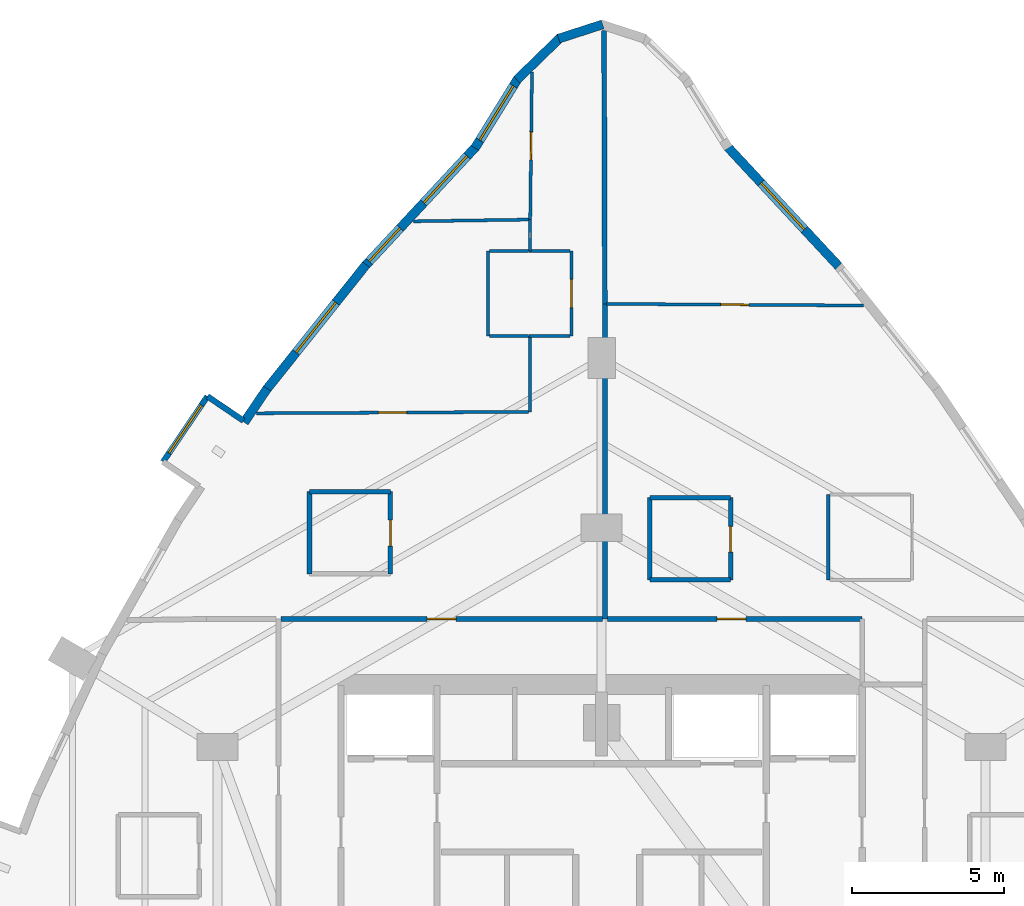
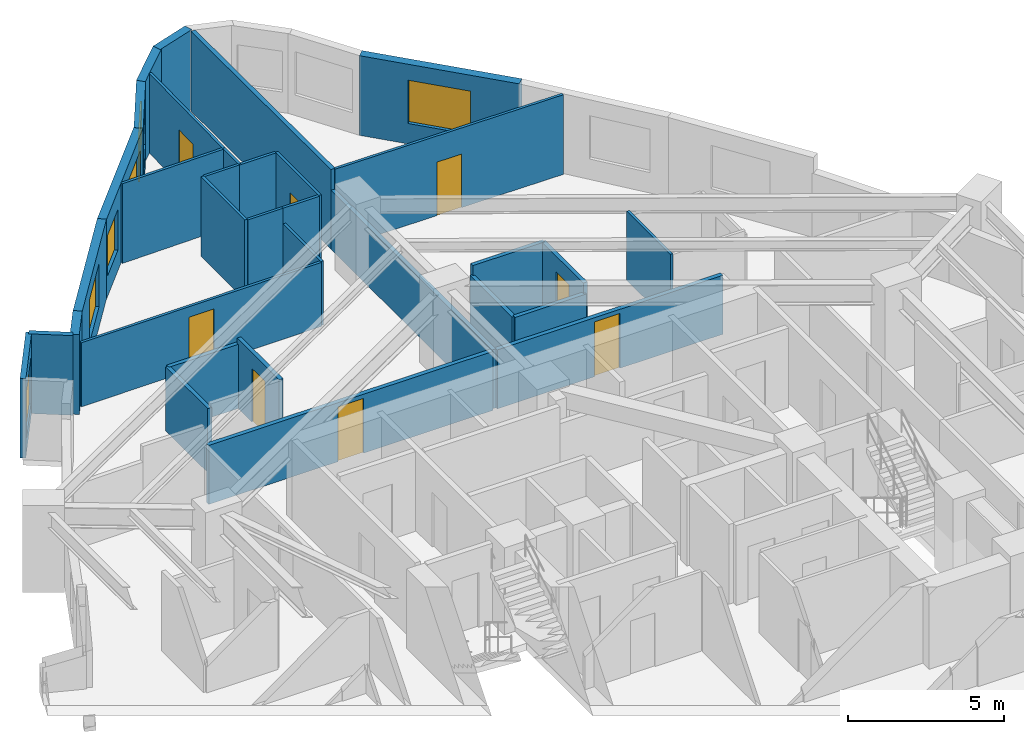
# One storey, part 11 of 13: 33 walls, 8 doors, 6 windows, 14 openings.
"""IFC4 building model written with IfcOpenShell, lengths in metres."""

from ifc_helpers import new_model, si_unit, direction, frame, frame_2d, origin, place, context, subcontext, project, spatial, rectangle, extrude, material, layer, layer_set, type_object, element, fill, save


model = new_model("IFC4")

# Units and contexts
model_context = context("Model", 3, precision=1e-05, world=origin(), true_north=direction((0.0, 1.0)))
body_context = subcontext(model_context, "Body", "Model", "MODEL_VIEW")
ifc_project = project(units=[si_unit("LENGTHUNIT", "METRE"), si_unit("AREAUNIT", "SQUARE_METRE"), si_unit("VOLUMEUNIT", "CUBIC_METRE"), si_unit("PLANEANGLEUNIT", "RADIAN"), si_unit("MASSUNIT", "GRAM", prefix="KILO")], contexts=[model_context])

# Site, building, storey
site_placement = place(None, origin())
site = spatial("IfcSite", under=ifc_project, at=site_placement, CompositionType="ELEMENT")
building_placement = place(site_placement, origin())
building = spatial("IfcBuilding", under=site, at=building_placement, Name="Miruveldt Soraemaru", CompositionType="ELEMENT")
storey_placement = place(building_placement, frame((0.0, 0.0, 73.39990234375)))
storey = spatial("IfcBuildingStorey", under=building, at=storey_placement, Name="L20", CompositionType="ELEMENT", Elevation=73.39990234375)

# Wall
ifc_material_1 = material(Name="White powder-coated aluminium EN AW-6060 T6", Category="aluminium")
ifc_layer_1 = layer(ifc_material_1, 0.18994140625, Name="White powder-coated aluminium EN AW-6060 T6", Category="aluminium")
ifc_layer_set_1 = layer_set([ifc_layer_1], Name="White powder-coated aluminium EN AW-6060 T6")
wall_type_1 = type_object("IfcWallType", Name="WALL-BAY-ALU190", PredefinedType="SOLIDWALL", material=ifc_layer_set_1)
wall_1_placement = place(storey_placement, frame((32.243896484375, 61.108154296875, 0.0), z_axis=(0.0, 0.0, 1.0), x_axis=(-0.82794178844, 0.560814046681, 0.0)))
element("IfcWall", 1, at=wall_1_placement, inside=storey, type_object=wall_type_1, Name="L20 Bay Window Side Cheek 1L", PredefinedType="SOLIDWALL", context=body_context, shape_type="SweptSolid", body=[
    extrude(rectangle(XDim=1.4248046875, YDim=0.18994140625, at=frame_2d((0.71240234375, 0.0))), origin(), (0.0, 0.0, 1.0), 3.125),
])

# Wall, opening, window
wall_2_placement = place(storey_placement, frame((31.064208984375, 61.9072265625, 0.0), z_axis=(0.0, 0.0, 1.0), x_axis=(-0.560860602504, -0.827910251512, 0.0)))
wall_2 = element("IfcWall", 2, at=wall_2_placement, inside=storey, type_object=wall_type_1, Name="L20 Bay Window Front Frame 1", PredefinedType="SOLIDWALL", context=body_context, shape_type="SweptSolid", body=[
    extrude(rectangle(XDim=2.60009765625, YDim=0.18994140625, at=frame_2d((1.300048828125, 0.0))), origin(), (0.0, 0.0, 1.0), 3.125),
])
opening_1_placement = place(wall_2_placement, frame((0.35009765625, 0.0, 0.550048828125)))
opening_1 = element("IfcOpeningElement", 3, at=opening_1_placement, cuts=wall_2, Name="Opening WN-6", PredefinedType="OPENING", context=body_context, shape_type="SweptSolid", body=[
    extrude(rectangle(XDim=1.89990234375, YDim=1.85009765625, at=frame_2d((0.949951171875, 0.925048828125))), frame((0.0, 0.10498046875, 0.0), z_axis=(0.0, -1.0, 0.0), x_axis=(1.0, 0.0, 0.0)), (0.0, 0.0, 1.0), 0.2099609375),
])
ifc_material_2 = material(Name="Triple low-e insulated glazing", Category="glass")
window_type_1 = type_object("IfcWindowType", Name="WIN-BAYW-1900x1850", PartitioningType="SINGLE_PANEL", PredefinedType="WINDOW", material=ifc_material_2)
window_1_placement = place(opening_1_placement, origin())
window_1 = element("IfcWindow", 4, at=window_1_placement, inside=storey, type_object=window_type_1, Name="L20 Projecting Bay Window 1", OverallHeight=1.85009765625, OverallWidth=1.89990234375, PartitioningType="SINGLE_PANEL", PredefinedType="WINDOW", context=body_context, shape_type="SweptSolid", body=[
    extrude(rectangle(XDim=1.89990234375, YDim=1.85009765625, at=frame_2d((0.949951171875, 0.925048828125))), frame((0.0, 0.030029296875, 0.0), z_axis=(0.0, -1.0, 0.0), x_axis=(1.0, 0.0, 0.0)), (0.0, 0.0, 1.0), 0.06005859375),
])
fill(opening_1, window_1)

# Walls
ifc_material_3 = material(Name="Precast concrete C45/55 (45 MPa)", Category="concrete")
ifc_layer_2 = layer(ifc_material_3, 0.300048828125, Name="Precast concrete C45/55 (45 MPa)", Category="concrete")
ifc_layer_set_2 = layer_set([ifc_layer_2], Name="Precast concrete C45/55 (45 MPa)")
wall_type_2 = type_object("IfcWallType", Name="WALL-EXT-PC300", PredefinedType="SOLIDWALL", material=ifc_layer_set_2)
wall_3_placement = place(storey_placement, frame((44.033203125, 74.110595703125, 0.0), z_axis=(0.0, 0.0, 1.0), x_axis=(-0.951504003815, -0.307636361186, 0.0)))
element("IfcWall", 5, at=wall_3_placement, inside=storey, type_object=wall_type_2, Name="L20 Precast Concrete Facade Wall 4", PredefinedType="SOLIDWALL", context=body_context, shape_type="SweptSolid", body=[
    extrude(rectangle(XDim=1.519775390625, YDim=0.300048828125, at=frame_2d((0.759765625, 0.0))), origin(), (0.0, 0.0, 1.0), 3.125),
])
wall_4_placement = place(storey_placement, frame((42.6455078125, 73.67822265625, 0.0), z_axis=(0.0, 0.0, 1.0), x_axis=(-0.717750025248, -0.69630086978, 0.0)))
element("IfcWall", 6, at=wall_4_placement, inside=storey, type_object=wall_type_2, Name="L20 Precast Concrete Facade Wall 5", PredefinedType="SOLIDWALL", context=body_context, shape_type="SweptSolid", body=[
    extrude(rectangle(XDim=1.991943359375, YDim=0.300048828125, at=frame_2d((0.99609375, 0.0))), origin(), (0.0, 0.0, 1.0), 3.125),
])

# Wall, opening, window
wall_5_placement = place(storey_placement, frame((41.25927734375, 72.345458984375, 0.0), z_axis=(0.0, 0.0, 1.0), x_axis=(-0.526064242957, -0.850444832004, 0.0)))
wall_5 = element("IfcWall", 7, at=wall_5_placement, inside=storey, type_object=wall_type_2, Name="L20 Precast Concrete Facade Wall 6", PredefinedType="SOLIDWALL", context=body_context, shape_type="SweptSolid", body=[
    extrude(rectangle(XDim=2.692138671875, YDim=0.300048828125, at=frame_2d((1.34619140625, 0.0))), origin(), (0.0, 0.0, 1.0), 3.125),
])
opening_2_placement = place(wall_5_placement, frame((0.2958984375, 0.0, 0.800048828125)))
opening_2 = element("IfcOpeningElement", 8, at=opening_2_placement, cuts=wall_5, Name="Opening WN-1", PredefinedType="OPENING", context=body_context, shape_type="SweptSolid", body=[
    extrude(rectangle(XDim=2.10009765625, YDim=1.699951171875, at=frame_2d((1.050048828125, 0.85009765625))), frame((0.0, 0.16015625, 0.0), z_axis=(0.0, -1.0, 0.0), x_axis=(1.0, 0.0, 0.0)), (0.0, 0.0, 1.0), 0.320068359375),
])
window_type_2 = type_object("IfcWindowType", Name="WIN-PUNCH-2100x1700", PartitioningType="SINGLE_PANEL", PredefinedType="WINDOW", material=ifc_material_2)
window_2_placement = place(opening_2_placement, origin())
window_2 = element("IfcWindow", 9, at=window_2_placement, inside=storey, type_object=window_type_2, Name="L20 Punched Triple-Glazed Window 06.1", OverallHeight=1.699951171875, OverallWidth=2.10009765625, PartitioningType="SINGLE_PANEL", PredefinedType="WINDOW", context=body_context, shape_type="SweptSolid", body=[
    extrude(rectangle(XDim=2.10009765625, YDim=1.699951171875, at=frame_2d((1.050048828125, 0.85009765625))), frame((0.0, 0.030029296875, 0.0), z_axis=(0.0, -1.0, 0.0), x_axis=(1.0, 0.0, 0.0)), (0.0, 0.0, 1.0), 0.06005859375),
])
fill(opening_2, window_2)

# Wall, openings, windows
wall_6_placement = place(storey_placement, frame((39.88525390625, 70.111083984375, 0.0), z_axis=(0.0, 0.0, 1.0), x_axis=(-0.680898855881, -0.732377462829, 0.0)))
wall_6 = element("IfcWall", 10, at=wall_6_placement, inside=storey, type_object=wall_type_2, Name="L20 Precast Concrete Facade Wall 7", PredefinedType="SOLIDWALL", context=body_context, shape_type="SweptSolid", body=[
    extrude(rectangle(XDim=5.373291015625, YDim=0.300048828125, at=frame_2d((2.6865234375, 0.0))), origin(), (0.0, 0.0, 1.0), 3.125),
])
opening_3_placement = place(wall_6_placement, frame((0.43505859375, 0.0, 0.800048828125)))
opening_3 = element("IfcOpeningElement", 11, at=opening_3_placement, cuts=wall_6, Name="Opening WN-1", PredefinedType="OPENING", context=body_context, shape_type="SweptSolid", body=[
    extrude(rectangle(XDim=2.10009765625, YDim=1.699951171875, at=frame_2d((1.050048828125, 0.85009765625))), frame((0.0, 0.16015625, 0.0), z_axis=(0.0, -1.0, 0.0), x_axis=(1.0, 0.0, 0.0)), (0.0, 0.0, 1.0), 0.320068359375),
])
opening_4_placement = place(wall_6_placement, frame((3.662109375, 0.0, 0.800048828125)))
opening_4 = element("IfcOpeningElement", 12, at=opening_4_placement, cuts=wall_6, Name="Opening WN-3", PredefinedType="OPENING", context=body_context, shape_type="SweptSolid", body=[
    extrude(rectangle(XDim=1.5, YDim=1.60009765625, at=frame_2d((0.75, 0.800048828125))), frame((0.0, 0.16015625, 0.0), z_axis=(0.0, -1.0, 0.0), x_axis=(1.0, 0.0, 0.0)), (0.0, 0.0, 1.0), 0.320068359375),
])
window_type_3 = type_object("IfcWindowType", Name="WIN-PUNCH-1500x1600", PartitioningType="SINGLE_PANEL", PredefinedType="WINDOW", material=ifc_material_2)
window_3_placement = place(opening_4_placement, origin())
window_3 = element("IfcWindow", 13, at=window_3_placement, inside=storey, type_object=window_type_3, Name="L20 Punched Triple-Glazed Window 07.2", OverallHeight=1.60009765625, OverallWidth=1.5, PartitioningType="SINGLE_PANEL", PredefinedType="WINDOW", context=body_context, shape_type="SweptSolid", body=[
    extrude(rectangle(XDim=1.5, YDim=1.60009765625, at=frame_2d((0.75, 0.800048828125))), frame((0.0, 0.030029296875, 0.0), z_axis=(0.0, -1.0, 0.0), x_axis=(1.0, 0.0, 0.0)), (0.0, 0.0, 1.0), 0.06005859375),
])
fill(opening_4, window_3)
window_4_placement = place(opening_3_placement, origin())
window_4 = element("IfcWindow", 14, at=window_4_placement, inside=storey, type_object=window_type_2, Name="L20 Punched Triple-Glazed Window 07.1", OverallHeight=1.699951171875, OverallWidth=2.10009765625, PartitioningType="SINGLE_PANEL", PredefinedType="WINDOW", context=body_context, shape_type="SweptSolid", body=[
    extrude(rectangle(XDim=2.10009765625, YDim=1.699951171875, at=frame_2d((1.050048828125, 0.85009765625))), frame((0.0, 0.030029296875, 0.0), z_axis=(0.0, -1.0, 0.0), x_axis=(1.0, 0.0, 0.0)), (0.0, 0.0, 1.0), 0.06005859375),
])
fill(opening_3, window_4)

# Wall, opening, window
wall_7_placement = place(storey_placement, frame((36.272216796875, 66.22900390625, 0.0), z_axis=(0.0, 0.0, 1.0), x_axis=(-0.623600125689, -0.781743489414, 0.0)))
wall_7 = element("IfcWall", 15, at=wall_7_placement, inside=storey, type_object=wall_type_2, Name="L20 Precast Concrete Facade Wall 8", PredefinedType="SOLIDWALL", context=body_context, shape_type="SweptSolid", body=[
    extrude(rectangle(XDim=5.2783203125, YDim=0.300048828125, at=frame_2d((2.63916015625, 0.0))), origin(), (0.0, 0.0, 1.0), 3.125),
])
opening_5_placement = place(wall_7_placement, frame((1.589111328125, 0.0, 0.800048828125)))
opening_5 = element("IfcOpeningElement", 16, at=opening_5_placement, cuts=wall_7, Name="Opening WN-1", PredefinedType="OPENING", context=body_context, shape_type="SweptSolid", body=[
    extrude(rectangle(XDim=2.10009765625, YDim=1.699951171875, at=frame_2d((1.050048828125, 0.85009765625))), frame((0.0, 0.16015625, 0.0), z_axis=(0.0, -1.0, 0.0), x_axis=(1.0, 0.0, 0.0)), (0.0, 0.0, 1.0), 0.320068359375),
])
window_5_placement = place(opening_5_placement, origin())
window_5 = element("IfcWindow", 17, at=window_5_placement, inside=storey, type_object=window_type_2, Name="L20 Punched Triple-Glazed Window 08.1", OverallHeight=1.699951171875, OverallWidth=2.10009765625, PartitioningType="SINGLE_PANEL", PredefinedType="WINDOW", context=body_context, shape_type="SweptSolid", body=[
    extrude(rectangle(XDim=2.10009765625, YDim=1.699951171875, at=frame_2d((1.050048828125, 0.85009765625))), frame((0.0, 0.030029296875, 0.0), z_axis=(0.0, -1.0, 0.0), x_axis=(1.0, 0.0, 0.0)), (0.0, 0.0, 1.0), 0.06005859375),
])
fill(opening_5, window_5)

# Wall
wall_8_placement = place(storey_placement, frame((33.022216796875, 62.1591796875, 0.0), z_axis=(0.0, 0.0, 1.0), x_axis=(-0.56075525003, -0.827981611852, 0.0)))
element("IfcWall", 18, at=wall_8_placement, inside=storey, type_object=wall_type_2, Name="L20 Precast Pier Wall 9A", PredefinedType="SOLIDWALL", context=body_context, shape_type="SweptSolid", body=[
    extrude(rectangle(XDim=1.336669921875, YDim=0.300048828125, at=frame_2d((0.66845703125, 0.0))), origin(), (0.0, 0.0, 1.0), 3.125),
])

# Wall, opening, window
wall_9_placement = place(storey_placement, frame((51.7734375, 66.17578125, 0.0), z_axis=(0.0, 0.0, 1.0), x_axis=(-0.680898855881, 0.732377462829, 0.0)))
wall_9 = element("IfcWall", 19, at=wall_9_placement, inside=storey, type_object=wall_type_2, Name="L20 Precast Concrete Facade Wall 42", PredefinedType="SOLIDWALL", context=body_context, shape_type="SweptSolid", body=[
    extrude(rectangle(XDim=5.373291015625, YDim=0.300048828125, at=frame_2d((2.6865234375, 0.0))), origin(), (0.0, 0.0, 1.0), 3.125),
])
opening_6_placement = place(wall_9_placement, frame((1.635986328125, 0.0, 0.800048828125)))
opening_6 = element("IfcOpeningElement", 20, at=opening_6_placement, cuts=wall_9, Name="Opening WN-1", PredefinedType="OPENING", context=body_context, shape_type="SweptSolid", body=[
    extrude(rectangle(XDim=2.10009765625, YDim=1.699951171875, at=frame_2d((1.050048828125, 0.85009765625))), frame((0.0, 0.16015625, 0.0), z_axis=(0.0, -1.0, 0.0), x_axis=(1.0, 0.0, 0.0)), (0.0, 0.0, 1.0), 0.320068359375),
])
window_6_placement = place(opening_6_placement, origin())
window_6 = element("IfcWindow", 21, at=window_6_placement, inside=storey, type_object=window_type_2, Name="L20 Punched Triple-Glazed Window 42.1", OverallHeight=1.699951171875, OverallWidth=2.10009765625, PartitioningType="SINGLE_PANEL", PredefinedType="WINDOW", context=body_context, shape_type="SweptSolid", body=[
    extrude(rectangle(XDim=2.10009765625, YDim=1.699951171875, at=frame_2d((1.050048828125, 0.85009765625))), frame((0.0, 0.030029296875, 0.0), z_axis=(0.0, -1.0, 0.0), x_axis=(1.0, 0.0, 0.0)), (0.0, 0.0, 1.0), 0.06005859375),
])
fill(opening_6, window_6)

# Wall, opening, door
ifc_material_4 = material(Name="Gypsum plasterboard lining", Category="gypsum")
ifc_layer_3 = layer(ifc_material_4, 0.10009765625, Name="Gypsum plasterboard lining", Category="gypsum")
ifc_layer_set_3 = layer_set([ifc_layer_3], Name="Gypsum plasterboard lining")
wall_type_3 = type_object("IfcWallType", Name="WALL-INT-P100", PredefinedType="PARTITIONING", material=ifc_layer_set_3)
wall_10_placement = place(storey_placement, frame((41.60498046875, 61.39501953125, 0.0), z_axis=(0.0, 0.0, 1.0), x_axis=(-0.999986088483, -0.005274735988, 0.0)))
wall_10 = element("IfcWall", 22, at=wall_10_placement, inside=storey, type_object=wall_type_3, Name="L20 Partition Wall 20", PredefinedType="PARTITIONING", context=body_context, shape_type="SweptSolid", body=[
    extrude(rectangle(XDim=8.93310546875, YDim=0.10009765625, at=frame_2d((4.466552734375, 0.0))), origin(), (0.0, 0.0, 1.0), 2.51318359375),
])
opening_7_placement = place(wall_10_placement, frame((4.007080078125, 0.0, 0.0)))
opening_7 = element("IfcOpeningElement", 23, at=opening_7_placement, cuts=wall_10, Name="Opening D3A", PredefinedType="OPENING", context=body_context, shape_type="SweptSolid", body=[
    extrude(rectangle(XDim=0.919921875, YDim=2.10009765625, at=frame_2d((0.4599609375, 1.050048828125))), frame((0.0, 0.06005859375, 0.0), z_axis=(0.0, -1.0, 0.0), x_axis=(1.0, 0.0, 0.0)), (0.0, 0.0, 1.0), 0.1201171875),
])
ifc_material_5 = material(Name="Anodised aluminium EN AW-6063 T6", Category="aluminium")
door_type_1 = type_object("IfcDoorType", Name="DOOR-INT-920", OperationType="NOTDEFINED", PredefinedType="DOOR", material=ifc_material_5)
door_1_placement = place(opening_7_placement, origin())
door_1 = element("IfcDoor", 24, at=door_1_placement, inside=storey, type_object=door_type_1, Name="L20 Unit 2001 BD1 Door", OperationType="SINGLE_SWING_LEFT", OverallHeight=2.10009765625, OverallWidth=0.919921875, PredefinedType="DOOR", context=body_context, shape_type="SweptSolid", body=[
    extrude(rectangle(XDim=0.919921875, YDim=2.10009765625, at=frame_2d((0.4599609375, 1.050048828125))), frame((0.0, 0.02490234375, 0.0), z_axis=(0.0, -1.0, 0.0), x_axis=(1.0, 0.0, 0.0)), (0.0, 0.0, 1.0), 0.050048828125),
])
fill(opening_7, door_1)

wall_11_placement = place(storey_placement, frame((52.589111328125, 64.885009765625, 0.0), z_axis=(0.0, 0.0, 1.0), x_axis=(-0.99998027209, 0.006281355846, 0.0)))
wall_11 = element("IfcWall", 25, at=wall_11_placement, inside=storey, type_object=wall_type_3, Name="L20 Partition Wall 38", PredefinedType="PARTITIONING", context=body_context, shape_type="SweptSolid", body=[
    extrude(rectangle(XDim=8.434326171875, YDim=0.10009765625, at=frame_2d((4.21728515625, 0.0))), origin(), (0.0, 0.0, 1.0), 3.125),
])
opening_8_placement = place(wall_11_placement, frame((3.757080078125, 0.0, 0.0)))
opening_8 = element("IfcOpeningElement", 26, at=opening_8_placement, cuts=wall_11, Name="Opening D3A", PredefinedType="OPENING", context=body_context, shape_type="SweptSolid", body=[
    extrude(rectangle(XDim=0.919921875, YDim=2.10009765625, at=frame_2d((0.4599609375, 1.050048828125))), frame((0.0, 0.06005859375, 0.0), z_axis=(0.0, -1.0, 0.0), x_axis=(1.0, 0.0, 0.0)), (0.0, 0.0, 1.0), 0.1201171875),
])
door_2_placement = place(opening_8_placement, origin())
door_2 = element("IfcDoor", 27, at=door_2_placement, inside=storey, type_object=door_type_1, Name="L20 Unit CL02 DIN Door", OperationType="SINGLE_SWING_RIGHT", OverallHeight=2.10009765625, OverallWidth=0.919921875, PredefinedType="DOOR", context=body_context, shape_type="SweptSolid", body=[
    extrude(rectangle(XDim=0.919921875, YDim=2.10009765625, at=frame_2d((0.4599609375, 1.050048828125))), frame((0.0, 0.02490234375, 0.0), z_axis=(0.0, -1.0, 0.0), x_axis=(1.0, 0.0, 0.0)), (0.0, 0.0, 1.0), 0.050048828125),
])
fill(opening_8, door_2)

wall_12_placement = place(storey_placement, frame((41.714111328125, 72.544921875, 0.0), z_axis=(0.0, 0.0, 1.0), x_axis=(-0.012206515862, -0.99992549771, 0.0)))
wall_12 = element("IfcWall", 28, at=wall_12_placement, inside=storey, type_object=wall_type_3, Name="L20 Partition Wall 21", PredefinedType="PARTITIONING", context=body_context, shape_type="SweptSolid", body=[
    extrude(rectangle(XDim=4.840087890625, YDim=0.10009765625, at=frame_2d((2.419921875, 0.0))), origin(), (0.0, 0.0, 1.0), 3.125),
])
opening_9_placement = place(wall_12_placement, frame((1.9599609375, 0.0, 0.0)))
opening_9 = element("IfcOpeningElement", 29, at=opening_9_placement, cuts=wall_12, Name="Opening D3A", PredefinedType="OPENING", context=body_context, shape_type="SweptSolid", body=[
    extrude(rectangle(XDim=0.919921875, YDim=2.10009765625, at=frame_2d((0.4599609375, 1.050048828125))), frame((0.0, 0.06005859375, 0.0), z_axis=(0.0, -1.0, 0.0), x_axis=(1.0, 0.0, 0.0)), (0.0, 0.0, 1.0), 0.1201171875),
])
door_3_placement = place(opening_9_placement, origin())
door_3 = element("IfcDoor", 30, at=door_3_placement, inside=storey, type_object=door_type_1, Name="L20 Unit 2001 EXT Door", OperationType="SINGLE_SWING_RIGHT", OverallHeight=2.10009765625, OverallWidth=0.919921875, PredefinedType="DOOR", context=body_context, shape_type="SweptSolid", body=[
    extrude(rectangle(XDim=0.919921875, YDim=2.10009765625, at=frame_2d((0.4599609375, 1.050048828125))), frame((0.0, 0.02490234375, 0.0), z_axis=(0.0, -1.0, 0.0), x_axis=(1.0, 0.0, 0.0)), (0.0, 0.0, 1.0), 0.050048828125),
])
fill(opening_9, door_3)

wall_13_placement = place(storey_placement, frame((43.013916015625, 63.8798828125, 0.0), z_axis=(0.0, 0.0, 1.0), x_axis=(0.0, 1.0, 0.0)))
wall_13 = element("IfcWall", 31, at=wall_13_placement, inside=storey, type_object=wall_type_3, Name="L20 Partition Wall 15", PredefinedType="PARTITIONING", context=body_context, shape_type="SweptSolid", body=[
    extrude(rectangle(XDim=2.800048828125, YDim=0.10009765625, at=frame_2d((1.39990234375, 0.0))), origin(), (0.0, 0.0, 1.0), 3.125),
])
opening_10_placement = place(wall_13_placement, frame((0.93994140625, 0.0, 0.0)))
opening_10 = element("IfcOpeningElement", 32, at=opening_10_placement, cuts=wall_13, Name="Opening D3A", PredefinedType="OPENING", context=body_context, shape_type="SweptSolid", body=[
    extrude(rectangle(XDim=0.919921875, YDim=2.10009765625, at=frame_2d((0.4599609375, 1.050048828125))), frame((0.0, 0.06005859375, 0.0), z_axis=(0.0, -1.0, 0.0), x_axis=(1.0, 0.0, 0.0)), (0.0, 0.0, 1.0), 0.1201171875),
])
door_4_placement = place(opening_10_placement, origin())
door_4 = element("IfcDoor", 33, at=door_4_placement, inside=storey, type_object=door_type_1, Name="L20 Unit 2001 KIT Door", OperationType="SINGLE_SWING_RIGHT", OverallHeight=2.10009765625, OverallWidth=0.919921875, PredefinedType="DOOR", context=body_context, shape_type="SweptSolid", body=[
    extrude(rectangle(XDim=0.919921875, YDim=2.10009765625, at=frame_2d((0.4599609375, 1.050048828125))), frame((0.0, 0.02490234375, 0.0), z_axis=(0.0, -1.0, 0.0), x_axis=(1.0, 0.0, 0.0)), (0.0, 0.0, 1.0), 0.050048828125),
])
fill(opening_10, door_4)

# Walls
wall_14_placement = place(storey_placement, frame((41.60498046875, 67.7041015625, 0.0), z_axis=(0.0, 0.0, 1.0), x_axis=(-0.999886107264, -0.015092133722, 0.0)))
element("IfcWall", 34, at=wall_14_placement, inside=storey, type_object=wall_type_3, Name="L20 Partition Wall 29", PredefinedType="PARTITIONING", context=body_context, shape_type="SweptSolid", body=[
    extrude(rectangle(XDim=3.785400390625, YDim=0.10009765625, at=frame_2d((1.892578125, 0.0))), origin(), (0.0, 0.0, 1.0), 3.125),
])
wall_15_placement = place(storey_placement, frame((40.263916015625, 66.679931640625, 0.0), z_axis=(0.0, 0.0, 1.0), x_axis=(0.0, -1.0, 0.0)))
element("IfcWall", 35, at=wall_15_placement, inside=storey, type_object=wall_type_3, Name="L20 Partition Wall 27", PredefinedType="PARTITIONING", context=body_context, shape_type="SweptSolid", body=[
    extrude(rectangle(XDim=2.800048828125, YDim=0.10009765625, at=frame_2d((1.39990234375, 0.0))), origin(), (0.0, 0.0, 1.0), 3.125),
])
wall_16_placement = place(storey_placement, frame((51.43505859375, 58.681884765625, 0.0), z_axis=(0.0, 0.0, 1.0), x_axis=(0.0, -1.0, 0.0)))
element("IfcWall", 36, at=wall_16_placement, inside=storey, type_object=wall_type_3, Name="L20 Partition Wall 36", PredefinedType="PARTITIONING", context=body_context, shape_type="SweptSolid", body=[
    extrude(rectangle(XDim=2.7998046875, YDim=0.10009765625, at=frame_2d((1.39990234375, 0.0))), origin(), (0.0, 0.0, 1.0), 2.713134765625),
])
wall_17_placement = place(storey_placement, frame((41.655029296875, 63.8798828125, 0.0), z_axis=(0.0, 0.0, 1.0), x_axis=(0.0, -1.0, 0.0)))
element("IfcWall", 37, at=wall_17_placement, inside=storey, type_object=wall_type_3, Name="L20 Partition Wall 19", PredefinedType="PARTITIONING", context=body_context, shape_type="SweptSolid", body=[
    extrude(rectangle(XDim=2.48486328125, YDim=0.10009765625, at=frame_2d((1.242431640625, 0.0))), origin(), (0.0, 0.0, 1.0), 2.51318359375),
])
for number, where, z_axis, x_axis, name in (
    (38, (42.964111328125, 66.679931640625, 0.0), (0.0, 0.0, 1.0), (-1.0, 0.0, 0.0), "L20 Partition Wall 16"),
    (39, (41.614990234375, 63.8798828125, 0.0), (0.0, 0.0, 1.0), (1.0, 0.0, 0.0), "L20 Partition Wall 17"),
):
    element("IfcWall", number, at=place(storey_placement, frame(where, z_axis=z_axis, x_axis=x_axis)), inside=storey, type_object=wall_type_3, Name=name, PredefinedType="PARTITIONING", context=body_context, shape_type="SweptSolid", body=[
        extrude(rectangle(XDim=1.34912109375, YDim=0.10009765625, at=frame_2d((0.674560546875, 0.0))), origin(), (0.0, 0.0, 1.0), 3.125),
    ])
for number, where, z_axis, x_axis, name in (
    (40, (41.60498046875, 66.679931640625, 0.0), (0.0, 0.0, 1.0), (-1.0, 0.0, 0.0), "L20 Partition Wall 26"),
    (41, (40.31396484375, 63.8798828125, 0.0), (0.0, 0.0, 1.0), (1.0, 0.0, 0.0), "L20 Partition Wall 28"),
):
    element("IfcWall", number, at=place(storey_placement, frame(where, z_axis=z_axis, x_axis=x_axis)), inside=storey, type_object=wall_type_3, Name=name, PredefinedType="PARTITIONING", context=body_context, shape_type="SweptSolid", body=[
        extrude(rectangle(XDim=1.291015625, YDim=0.10009765625, at=frame_2d((0.6455078125, 0.0))), origin(), (0.0, 0.0, 1.0), 3.125),
    ])
wall_18_placement = place(storey_placement, frame((41.655029296875, 67.705078125, 0.0), z_axis=(0.0, 0.0, 1.0), x_axis=(0.0, -1.0, 0.0)))
element("IfcWall", 42, at=wall_18_placement, inside=storey, type_object=wall_type_3, Name="L20 Partition Wall 18", PredefinedType="PARTITIONING", context=body_context, shape_type="SweptSolid", body=[
    extrude(rectangle(XDim=1.025146484375, YDim=0.10009765625, at=frame_2d((0.5126953125, 0.0))), origin(), (0.0, 0.0, 1.0), 3.125),
])

# Wall, opening, door
ifc_layer_4 = layer(ifc_material_4, 0.14990234375, Name="Gypsum plasterboard lining", Category="gypsum")
ifc_layer_set_4 = layer_set([ifc_layer_4], Name="Gypsum plasterboard lining")
wall_type_4 = type_object("IfcWallType", Name="WALL-INT-PLUMB", PredefinedType="PLUMBINGWALL", material=ifc_layer_set_4)
wall_19_placement = place(storey_placement, frame((37.06396484375, 56.080078125, 0.0), z_axis=(0.0, 0.0, 1.0), x_axis=(0.0, 1.0, 0.0)))
wall_19 = element("IfcWall", 43, at=wall_19_placement, inside=storey, type_object=wall_type_4, Name="L20 Partition Wall 11", PredefinedType="PLUMBINGWALL", context=body_context, shape_type="SweptSolid", body=[
    extrude(rectangle(XDim=2.699951171875, YDim=0.14990234375, at=frame_2d((1.35009765625, 0.0))), origin(), (0.0, 0.0, 1.0), 2.713134765625),
])
opening_11_placement = place(wall_19_placement, frame((0.909912109375, 0.0, 0.0)))
opening_11 = element("IfcOpeningElement", 44, at=opening_11_placement, cuts=wall_19, Name="Opening FD3", PredefinedType="OPENING", context=body_context, shape_type="SweptSolid", body=[
    extrude(rectangle(XDim=0.85009765625, YDim=2.10009765625, at=frame_2d((0.425048828125, 1.050048828125))), frame((0.0, 0.0849609375, 0.0), z_axis=(0.0, -1.0, 0.0), x_axis=(1.0, 0.0, 0.0)), (0.0, 0.0, 1.0), 0.169921875),
])
door_type_2 = type_object("IfcDoorType", Name="DOOR-FD3-850", OperationType="NOTDEFINED", PredefinedType="DOOR", material=ifc_material_5)
door_5_placement = place(opening_11_placement, origin())
door_5 = element("IfcDoor", 45, at=door_5_placement, inside=storey, type_object=door_type_2, Name="L20 Unit 2001 BTH Door", OperationType="SINGLE_SWING_LEFT", OverallHeight=2.10009765625, OverallWidth=0.85009765625, PredefinedType="DOOR", context=body_context, shape_type="SweptSolid", body=[
    extrude(rectangle(XDim=0.85009765625, YDim=2.10009765625, at=frame_2d((0.425048828125, 1.050048828125))), frame((0.0, 0.02490234375, 0.0), z_axis=(0.0, -1.0, 0.0), x_axis=(1.0, 0.0, 0.0)), (0.0, 0.0, 1.0), 0.050048828125),
])
fill(opening_11, door_5)

wall_20_placement = place(storey_placement, frame((48.235107421875, 55.882080078125, 0.0), z_axis=(0.0, 0.0, 1.0), x_axis=(0.0, 1.0, 0.0)))
wall_20 = element("IfcWall", 46, at=wall_20_placement, inside=storey, type_object=wall_type_4, Name="L20 Partition Wall 30", PredefinedType="PLUMBINGWALL", context=body_context, shape_type="SweptSolid", body=[
    extrude(rectangle(XDim=2.699951171875, YDim=0.14990234375, at=frame_2d((1.35009765625, 0.0))), origin(), (0.0, 0.0, 1.0), 2.713134765625),
])
opening_12_placement = place(wall_20_placement, frame((0.909912109375, 0.0, 0.0)))
opening_12 = element("IfcOpeningElement", 47, at=opening_12_placement, cuts=wall_20, Name="Opening FD3", PredefinedType="OPENING", context=body_context, shape_type="SweptSolid", body=[
    extrude(rectangle(XDim=0.85009765625, YDim=2.10009765625, at=frame_2d((0.425048828125, 1.050048828125))), frame((0.0, 0.0849609375, 0.0), z_axis=(0.0, -1.0, 0.0), x_axis=(1.0, 0.0, 0.0)), (0.0, 0.0, 1.0), 0.169921875),
])
door_6_placement = place(opening_12_placement, origin())
door_6 = element("IfcDoor", 48, at=door_6_placement, inside=storey, type_object=door_type_2, Name="L20 Unit CL02 BTH Door", OperationType="SINGLE_SWING_RIGHT", OverallHeight=2.10009765625, OverallWidth=0.85009765625, PredefinedType="DOOR", context=body_context, shape_type="SweptSolid", body=[
    extrude(rectangle(XDim=0.85009765625, YDim=2.10009765625, at=frame_2d((0.425048828125, 1.050048828125))), frame((0.0, 0.02490234375, 0.0), z_axis=(0.0, -1.0, 0.0), x_axis=(1.0, 0.0, 0.0)), (0.0, 0.0, 1.0), 0.050048828125),
])
fill(opening_12, door_6)

# Walls
wall_21_placement = place(storey_placement, frame((34.4140625, 58.780029296875, 0.0), z_axis=(0.0, 0.0, 1.0), x_axis=(0.0, -1.0, 0.0)))
element("IfcWall", 49, at=wall_21_placement, inside=storey, type_object=wall_type_4, Name="L20 Partition Wall 13", PredefinedType="PLUMBINGWALL", context=body_context, shape_type="SweptSolid", body=[
    extrude(rectangle(XDim=2.699951171875, YDim=0.14990234375, at=frame_2d((1.35009765625, 0.0))), origin(), (0.0, 0.0, 1.0), 2.51318359375),
])
wall_22_placement = place(storey_placement, frame((45.5849609375, 58.58203125, 0.0), z_axis=(0.0, 0.0, 1.0), x_axis=(0.0, -1.0, 0.0)))
element("IfcWall", 50, at=wall_22_placement, inside=storey, type_object=wall_type_4, Name="L20 Partition Wall 32", PredefinedType="PLUMBINGWALL", context=body_context, shape_type="SweptSolid", body=[
    extrude(rectangle(XDim=2.699951171875, YDim=0.14990234375, at=frame_2d((1.35009765625, 0.0))), origin(), (0.0, 0.0, 1.0), 2.31298828125),
])
wall_23_placement = place(storey_placement, frame((37.06396484375, 58.780029296875, 0.0), z_axis=(0.0, 0.0, 1.0), x_axis=(-1.0, 0.0, 0.0)))
element("IfcWall", 51, at=wall_23_placement, inside=storey, type_object=wall_type_4, Name="L20 Partition Wall 12", PredefinedType="PLUMBINGWALL", context=body_context, shape_type="SweptSolid", body=[
    extrude(rectangle(XDim=2.64990234375, YDim=0.14990234375, at=frame_2d((1.324951171875, 0.0))), origin(), (0.0, 0.0, 1.0), 2.51318359375),
])
wall_24_placement = place(storey_placement, frame((48.235107421875, 58.58203125, 0.0), z_axis=(0.0, 0.0, 1.0), x_axis=(-1.0, 0.0, 0.0)))
element("IfcWall", 52, at=wall_24_placement, inside=storey, type_object=wall_type_4, Name="L20 Partition Wall 31", PredefinedType="PLUMBINGWALL", context=body_context, shape_type="SweptSolid", body=[
    extrude(rectangle(XDim=2.650146484375, YDim=0.14990234375, at=frame_2d((1.3251953125, 0.0))), origin(), (0.0, 0.0, 1.0), 2.713134765625),
])
wall_25_placement = place(storey_placement, frame((45.5849609375, 55.882080078125, 0.0), z_axis=(0.0, 0.0, 1.0), x_axis=(1.0, 0.0, 0.0)))
element("IfcWall", 53, at=wall_25_placement, inside=storey, type_object=wall_type_4, Name="L20 Partition Wall 33", PredefinedType="PLUMBINGWALL", context=body_context, shape_type="SweptSolid", body=[
    extrude(rectangle(XDim=2.650146484375, YDim=0.14990234375, at=frame_2d((1.3251953125, 0.0))), origin(), (0.0, 0.0, 1.0), 2.31298828125),
])

# Wall, opening, door
ifc_material_6 = material(Name="Concrete C40/50 (40 MPa)", Category="concrete")
ifc_layer_5 = layer(ifc_material_6, 0.159912109375, Name="Concrete C40/50 (40 MPa)", Category="concrete")
ifc_layer_set_5 = layer_set([ifc_layer_5], Name="Concrete C40/50 (40 MPa)")
wall_type_5 = type_object("IfcWallType", Name="WALL-INT-RC160", PredefinedType="SOLIDWALL", material=ifc_layer_set_5)
wall_26_placement = place(storey_placement, frame((44.02490234375, 54.60009765625, 0.0), z_axis=(0.0, 0.0, 1.0), x_axis=(-1.0, 0.0, 0.0)))
wall_26 = element("IfcWall", 54, at=wall_26_placement, inside=storey, type_object=wall_type_5, Name="L20 Partition Wall 1", PredefinedType="SOLIDWALL", context=body_context, shape_type="SweptSolid", body=[
    extrude(rectangle(XDim=10.544921875, YDim=0.159912109375, at=frame_2d((5.2724609375, 0.0))), origin(), (0.0, 0.0, 1.0), 2.31298828125),
])
opening_13_placement = place(wall_26_placement, frame((4.798095703125, 0.0, 0.0)))
opening_13 = element("IfcOpeningElement", 55, at=opening_13_placement, cuts=wall_26, Name="Opening FD2", PredefinedType="OPENING", context=body_context, shape_type="SweptSolid", body=[
    extrude(rectangle(XDim=0.949951171875, YDim=2.14990234375, at=frame_2d((0.47509765625, 1.074951171875))), frame((0.0, 0.08984375, 0.0), z_axis=(0.0, -1.0, 0.0), x_axis=(1.0, 0.0, 0.0)), (0.0, 0.0, 1.0), 0.179931640625),
])
door_type_3 = type_object("IfcDoorType", Name="DOOR-FD2-950", OperationType="NOTDEFINED", PredefinedType="DOOR", material=ifc_material_5)
door_7_placement = place(opening_13_placement, origin())
door_7 = element("IfcDoor", 56, at=door_7_placement, inside=storey, type_object=door_type_3, Name="L20 Unit 2001 Entrance Fire Door", OperationType="SINGLE_SWING_RIGHT", OverallHeight=2.14990234375, OverallWidth=0.949951171875, PredefinedType="DOOR", context=body_context, shape_type="SweptSolid", body=[
    extrude(rectangle(XDim=0.949951171875, YDim=2.14990234375, at=frame_2d((0.47509765625, 1.074951171875))), frame((0.0, 0.02490234375, 0.0), z_axis=(0.0, -1.0, 0.0), x_axis=(1.0, 0.0, 0.0)), (0.0, 0.0, 1.0), 0.050048828125),
])
fill(opening_13, door_7)

wall_27_placement = place(storey_placement, frame((52.550048828125, 54.60009765625, 0.0), z_axis=(0.0, 0.0, 1.0), x_axis=(-1.0, 0.0, 0.0)))
wall_27 = element("IfcWall", 57, at=wall_27_placement, inside=storey, type_object=wall_type_5, Name="L20 Partition Wall 4", PredefinedType="SOLIDWALL", context=body_context, shape_type="SweptSolid", body=[
    extrude(rectangle(XDim=8.364990234375, YDim=0.159912109375, at=frame_2d((4.1826171875, 0.0))), origin(), (0.0, 0.0, 1.0), 2.31298828125),
])
opening_14_placement = place(wall_27_placement, frame((3.81689453125, 0.0, 0.0)))
opening_14 = element("IfcOpeningElement", 58, at=opening_14_placement, cuts=wall_27, Name="Opening FD2", PredefinedType="OPENING", context=body_context, shape_type="SweptSolid", body=[
    extrude(rectangle(XDim=0.949951171875, YDim=2.14990234375, at=frame_2d((0.47509765625, 1.074951171875))), frame((0.0, 0.08984375, 0.0), z_axis=(0.0, -1.0, 0.0), x_axis=(1.0, 0.0, 0.0)), (0.0, 0.0, 1.0), 0.179931640625),
])
door_8_placement = place(opening_14_placement, origin())
door_8 = element("IfcDoor", 59, at=door_8_placement, inside=storey, type_object=door_type_3, Name="L20 Unit CL02 Entrance Fire Door", OperationType="SINGLE_SWING_LEFT", OverallHeight=2.14990234375, OverallWidth=0.949951171875, PredefinedType="DOOR", context=body_context, shape_type="SweptSolid", body=[
    extrude(rectangle(XDim=0.949951171875, YDim=2.14990234375, at=frame_2d((0.47509765625, 1.074951171875))), frame((0.0, 0.02490234375, 0.0), z_axis=(0.0, -1.0, 0.0), x_axis=(1.0, 0.0, 0.0)), (0.0, 0.0, 1.0), 0.050048828125),
])
fill(opening_14, door_8)

# Walls
wall_28_placement = place(storey_placement, frame((44.10498046875, 54.60009765625, 0.0), z_axis=(0.0, 0.0, 1.0), x_axis=(0.0, 1.0, 0.0)))
element("IfcWall", 60, at=wall_28_placement, inside=storey, type_object=wall_type_5, Name="L20 Partition Wall 22", PredefinedType="SOLIDWALL", context=body_context, shape_type="SweptSolid", body=[
    extrude(rectangle(XDim=10.337890625, YDim=0.159912109375, at=frame_2d((5.1689453125, 0.0))), origin(), (0.0, 0.0, 1.0), 2.31298828125),
])
wall_29_placement = place(storey_placement, frame((44.10498046875, 64.93798828125, 0.0), z_axis=(0.0, 0.0, 1.0), x_axis=(-0.002887327254, 0.999995831662, 0.0)))
element("IfcWall", 61, at=wall_29_placement, inside=storey, type_object=wall_type_5, Name="L20 Partition Wall 23", PredefinedType="SOLIDWALL", context=body_context, shape_type="SweptSolid", body=[
    extrude(rectangle(XDim=8.962890625, YDim=0.159912109375, at=frame_2d((4.4814453125, 0.0))), origin(), (0.0, 0.0, 1.0), 3.125),
])

save(model, "model.ifc")
